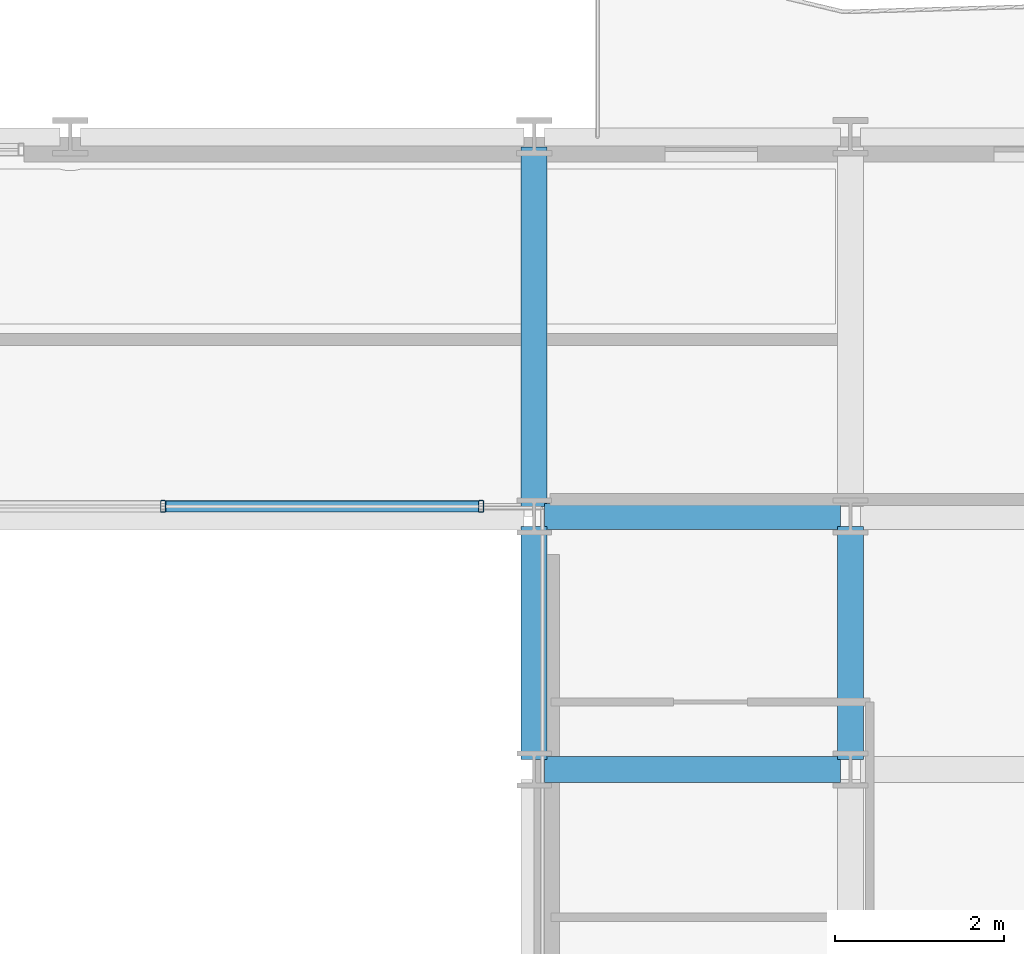
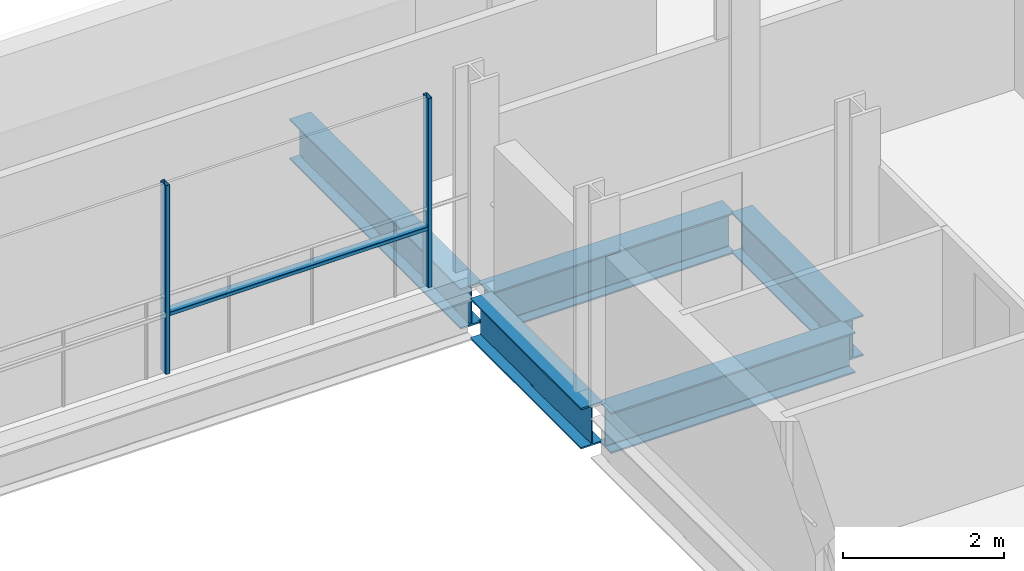
# One storey, part 17 of 40: 5 beams, 3 members, 1 element without a shape of its own.
"""IFC4 building model written with IfcOpenShell, lengths in metres."""

from ifc_helpers import new_model, si_unit, direction, frame, origin, origin_2d, place, context, subcontext, project, spatial, hollow_rectangle, i_section, extrude, material, layer, layer_set, material_profile, profile_set, type_object, element, aggregate, save


model = new_model("IFC4")

# Units and contexts
model_context = context("Model", 3, precision=1e-05, world=origin(), true_north=direction((0.0, 1.0)))
body_context = subcontext(model_context, "Body", "Model", "MODEL_VIEW")
ifc_project = project(units=[si_unit("LENGTHUNIT", "METRE"), si_unit("AREAUNIT", "SQUARE_METRE"), si_unit("VOLUMEUNIT", "CUBIC_METRE"), si_unit("PLANEANGLEUNIT", "RADIAN"), si_unit("MASSUNIT", "GRAM", prefix="KILO")], contexts=[model_context])

# Site, building, storey
site_placement = place(None, origin())
site = spatial("IfcSite", under=ifc_project, at=site_placement, CompositionType="ELEMENT")
building_placement = place(site_placement, origin())
building = spatial("IfcBuilding", under=site, at=building_placement, Name="Brevholm Reach", CompositionType="ELEMENT")
storey_placement = place(building_placement, frame((0.0, 0.0, 80.699951171875)))
storey = spatial("IfcBuildingStorey", under=building, at=storey_placement, Name="L23", CompositionType="ELEMENT", Elevation=80.699951171875)

# Beams
ifc_material_1 = material(Name="Structural Steel S355J2", Category="steel")
ifc_material_profile_1 = material_profile(ifc_material_1, i_section(OverallWidth=0.30712890625, OverallDepth=0.6201171875, WebThickness=0.01416015625, FlangeThickness=0.023681640625, FilletRadius=0.0166015625, at=origin_2d()), Name="UKB 610x305x179")
ifc_profile_set_1 = profile_set([ifc_material_profile_1], Name="Structural Steel S355J2")
beam_type = type_object("IfcBeamType", Name="BM-UKB610H", PredefinedType="USERDEFINED", material=ifc_profile_set_1)
for number, where, z_axis, x_axis, name in (
    (1, (38.3701171875, 23.5, -0.5400390625), (1.0, 0.0, 0.0), (0.0, 1.0, 0.0), "L23 G-06 Framing Beam"),
    (2, (38.3701171875, 26.5, -0.5400390625), (1.0, 0.0, 0.0), (0.0, 1.0, 0.0), "L23 G-06 Framing Beam"),
):
    element("IfcBeam", number, at=place(storey_placement, frame(where, z_axis=z_axis, x_axis=x_axis)), inside=storey, type_object=beam_type, Name=name, ObjectType="GIRDER", PredefinedType="USERDEFINED", context=body_context, shape_type="SweptSolid", body=[
        extrude(i_section(OverallWidth=0.30712890625, OverallDepth=0.6201171875, WebThickness=0.01416015625, FlangeThickness=0.023681640625, FilletRadius=0.0166015625, at=origin_2d()), origin(), (0.0, 0.0, 1.0), 3.509765625),
    ])
beam_1_placement = place(storey_placement, frame((38.25, 23.6201171875, -0.5400390625), z_axis=(0.0, 1.0, 0.0), x_axis=(-1.0, 0.0, 0.0)))
element("IfcBeam", 3, at=beam_1_placement, inside=storey, type_object=beam_type, Name="L23 G-06 Framing Beam", ObjectType="GIRDER", PredefinedType="USERDEFINED", context=body_context, shape_type="SweptSolid", body=[
    extrude(i_section(OverallWidth=0.30712890625, OverallDepth=0.6201171875, WebThickness=0.01416015625, FlangeThickness=0.023681640625, FilletRadius=0.0166015625, at=origin_2d()), origin(), (0.0, 0.0, 1.0), 2.759765625),
])
beam_2_placement = place(storey_placement, frame((38.25, 26.6201171875, -0.5400390625), z_axis=(0.0, 1.0, 0.0), x_axis=(-1.0, 0.0, 0.0)))
element("IfcBeam", 4, at=beam_2_placement, inside=storey, type_object=beam_type, Name="L23 G-06 Framing Beam", ObjectType="GIRDER", PredefinedType="USERDEFINED", context=body_context, shape_type="SweptSolid", body=[
    extrude(i_section(OverallWidth=0.30712890625, OverallDepth=0.6201171875, WebThickness=0.01416015625, FlangeThickness=0.023681640625, FilletRadius=0.0166015625, at=origin_2d()), origin(), (0.0, 0.0, 1.0), 4.259765625),
])
beam_3_placement = place(storey_placement, frame((42.0, 23.6201171875, -0.5400390625), z_axis=(0.0, 1.0, 0.0), x_axis=(-1.0, 0.0, 0.0)))
element("IfcBeam", 5, at=beam_3_placement, inside=storey, type_object=beam_type, Name="L23 G-06 Framing Beam", ObjectType="GIRDER", PredefinedType="USERDEFINED", context=body_context, shape_type="SweptSolid", body=[
    extrude(i_section(OverallWidth=0.30712890625, OverallDepth=0.6201171875, WebThickness=0.01416015625, FlangeThickness=0.023681640625, FilletRadius=0.0166015625, at=origin_2d()), origin(), (0.0, 0.0, 1.0), 2.759765625),
])

# Curtain wall, members
ifc_material_2 = material(Name="Dark Anodised Aluminium 6063-T6 and Solar-Control Glass", Category="aluminium")
ifc_layer = layer(ifc_material_2, 0.139892578125)
ifc_layer_set = layer_set([ifc_layer], Name="Dark Anodised Aluminium 6063-T6 and Solar-Control Glass")
curtain_wall_type = type_object("IfcCurtainWallType", Name="CW-02", PredefinedType="NOTDEFINED", material=ifc_layer_set)
curtain_wall_placement = place(storey_placement, origin())
curtain_wall = element("IfcCurtainWall", 6, at=curtain_wall_placement, inside=storey, type_object=curtain_wall_type, Name="L23 Curtain Wall CW-02", PredefinedType="NOTDEFINED")
ifc_material_3 = material(Name="Dark Anodised Aluminium 6063-T6", Category="aluminium")
ifc_material_profile_2 = material_profile(ifc_material_3, hollow_rectangle(XDim=0.06005859375, YDim=0.139892578125, WallThickness=0.0048828125, InnerFilletRadius=0.0048828125, OuterFilletRadius=0.010009765625, at=origin_2d()), Name="RHS 140x60x5")
ifc_profile_set_2 = profile_set([ifc_material_profile_2], Name="Dark Anodised Aluminium 6063-T6")
member_type_1 = type_object("IfcMemberType", Name="CWM-140", PredefinedType="MULLION", material=ifc_profile_set_2)
member_1_placement = place(storey_placement, frame((37.6201171875, 26.6201171875, 0.0), z_axis=(0.0, 0.0, 1.0), x_axis=(-1.0, 0.0, 0.0)))
member_1 = element("IfcMember", 7, at=member_1_placement, type_object=member_type_1, Name="CM-140 Mullion 1", PredefinedType="MULLION", context=body_context, shape_type="SweptSolid", body=[
    extrude(hollow_rectangle(XDim=0.06005859375, YDim=0.139892578125, WallThickness=0.0048828125, InnerFilletRadius=0.0048828125, OuterFilletRadius=0.010009765625, at=origin_2d()), origin(), (0.0, 0.0, 1.0), 2.8701171875),
])
member_2_placement = place(storey_placement, frame((33.85009765625, 26.6201171875, 0.0), z_axis=(0.0, 0.0, 1.0), x_axis=(-1.0, 0.0, 0.0)))
member_2 = element("IfcMember", 8, at=member_2_placement, type_object=member_type_1, Name="CM-140 Mullion 2", PredefinedType="MULLION", context=body_context, shape_type="SweptSolid", body=[
    extrude(hollow_rectangle(XDim=0.06005859375, YDim=0.139892578125, WallThickness=0.0048828125, InnerFilletRadius=0.0048828125, OuterFilletRadius=0.010009765625, at=origin_2d()), origin(), (0.0, 0.0, 1.0), 2.8701171875),
])
ifc_material_4 = material(Name="Dark Anodised Aluminium 6063-T6", Category="aluminium")
ifc_material_profile_3 = material_profile(ifc_material_4, hollow_rectangle(XDim=0.06005859375, YDim=0.139892578125, WallThickness=0.0048828125, InnerFilletRadius=0.0048828125, OuterFilletRadius=0.010009765625, at=origin_2d()), Name="RHS 140x60x5")
ifc_profile_set_3 = profile_set([ifc_material_profile_3], Name="Dark Anodised Aluminium 6063-T6")
member_type_2 = type_object("IfcMemberType", Name="CWT-140", PredefinedType="NOTDEFINED", material=ifc_profile_set_3)
member_3_placement = place(storey_placement, frame((37.590087890625, 26.6201171875, 0.900146484375), z_axis=(-1.0, 0.0, 0.0), x_axis=(0.0, 0.0, 1.0)))
member_3 = element("IfcMember", 9, at=member_3_placement, type_object=member_type_2, Name="CT-140 Transom 1.1", ObjectType="TRANSOM", PredefinedType="USERDEFINED", context=body_context, shape_type="SweptSolid", body=[
    extrude(hollow_rectangle(XDim=0.06005859375, YDim=0.139892578125, WallThickness=0.0048828125, InnerFilletRadius=0.0048828125, OuterFilletRadius=0.010009765625, at=origin_2d()), origin(), (0.0, 0.0, 1.0), 3.710205078125),
])
aggregate(curtain_wall, [member_1, member_2, member_3])

save(model, "model.ifc")
